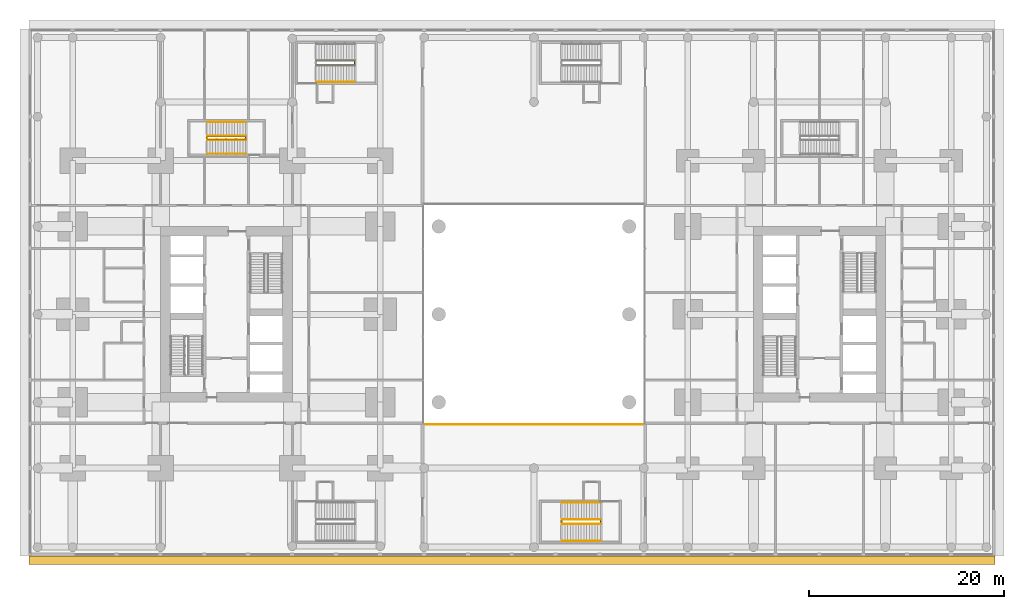
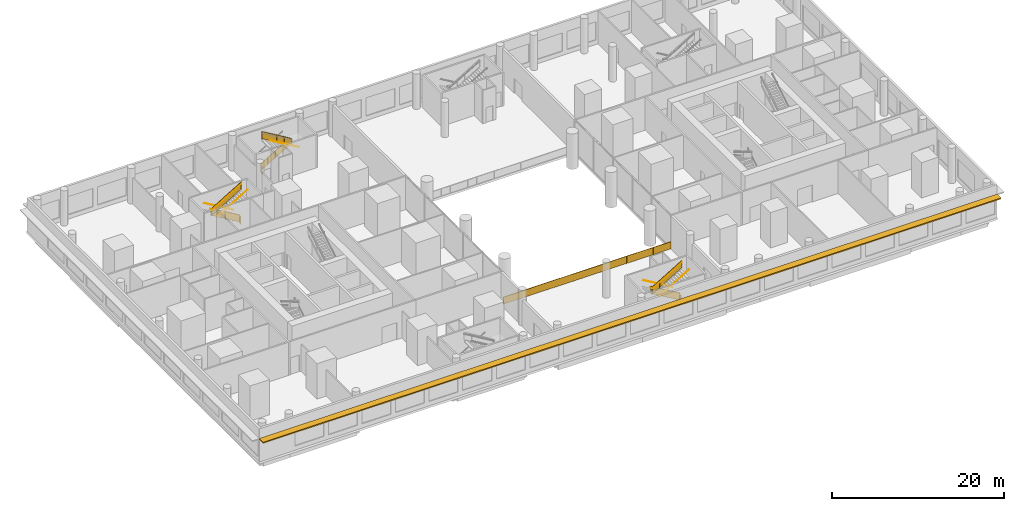
# One storey, part 19 of 21: 13 railings, 1 shading device.
"""IFC4 building model written with IfcOpenShell, lengths in metres."""

from ifc_helpers import new_model, si_unit, direction, frame, origin, origin_2d, place, context, subcontext, project, spatial, polyline, rectangle, circle, outline, extrude, material, layer, layer_set, type_object, element, save


model = new_model("IFC4")

# Units and contexts
model_context = context("Model", 3, precision=1e-05, world=origin(), true_north=direction((0.0, 1.0)))
body_context = subcontext(model_context, "Body", "Model", "MODEL_VIEW")
ifc_project = project(units=[si_unit("LENGTHUNIT", "METRE"), si_unit("AREAUNIT", "SQUARE_METRE"), si_unit("VOLUMEUNIT", "CUBIC_METRE"), si_unit("PLANEANGLEUNIT", "RADIAN"), si_unit("MASSUNIT", "GRAM", prefix="KILO")], contexts=[model_context])

# Site, building, storey
site_placement = place(None, origin())
site = spatial("IfcSite", under=ifc_project, at=site_placement, CompositionType="ELEMENT")
building_placement = place(site_placement, origin())
building = spatial("IfcBuilding", under=site, at=building_placement, Name="Namib Vertical Campus", CompositionType="ELEMENT")
storey_placement = place(building_placement, frame((0.0, 0.0, 6.0)))
storey = spatial("IfcBuildingStorey", under=building, at=storey_placement, Name="L01", CompositionType="ELEMENT", Elevation=6.0)

# Railings
ifc_material_1 = material(Name="Toughened glass balustrade", Category="glass")
railing_type_1 = type_object("IfcRailingType", Name="Edge guard 1100", PredefinedType="GUARDRAIL", material=ifc_material_1)
railing_1_placement = place(storey_placement, frame((40.5, 8.949951171875, 0.0)))
element("IfcRailing", 1, at=railing_1_placement, inside=storey, type_object=railing_type_1, Name="Atrium edge guard GR2 L01 S", PredefinedType="GUARDRAIL", context=body_context, shape_type="SweptSolid", body=[
    extrude(circle(Radius=0.02392578125, at=origin_2d()), frame((0.0, 0.0, 1.076171875), z_axis=(1.0, 0.0, 0.0), x_axis=(0.0, 1.0, 0.0)), (0.0, 0.0, 1.0), 22.5),
    extrude(outline(polyline([(0.02099609375, 0.050048828125), (22.47900390625, 0.050048828125), (22.47900390625, 1.052001953125), (0.02099609375, 1.052001953125), (0.02099609375, 0.050048828125)])), frame((0.0, 0.0107421875, 0.0), z_axis=(0.0, -1.0, 0.0), x_axis=(1.0, 0.0, 0.0)), (0.0, 0.0, 1.0), 0.021484375),
    extrude(circle(Radius=0.02099609375, at=origin_2d()), origin(), (0.0, 0.0, 1.0), 1.052001953125),
    extrude(circle(Radius=0.02099609375, at=origin_2d()), frame((1.184326171875, 0.0, 0.0)), (0.0, 0.0, 1.0), 1.052001953125),
    extrude(circle(Radius=0.02099609375, at=origin_2d()), frame((2.368408203125, 0.0, 0.0)), (0.0, 0.0, 1.0), 1.052001953125),
    extrude(circle(Radius=0.02099609375, at=origin_2d()), frame((3.552734375, 0.0, 0.0)), (0.0, 0.0, 1.0), 1.052001953125),
    extrude(circle(Radius=0.02099609375, at=origin_2d()), frame((4.73681640625, 0.0, 0.0)), (0.0, 0.0, 1.0), 1.052001953125),
    extrude(circle(Radius=0.02099609375, at=origin_2d()), frame((5.921142578125, 0.0, 0.0)), (0.0, 0.0, 1.0), 1.052001953125),
    extrude(circle(Radius=0.02099609375, at=origin_2d()), frame((7.105224609375, 0.0, 0.0)), (0.0, 0.0, 1.0), 1.052001953125),
    extrude(circle(Radius=0.02099609375, at=origin_2d()), frame((8.28955078125, 0.0, 0.0)), (0.0, 0.0, 1.0), 1.052001953125),
    extrude(circle(Radius=0.02099609375, at=origin_2d()), frame((9.4736328125, 0.0, 0.0)), (0.0, 0.0, 1.0), 1.052001953125),
    extrude(circle(Radius=0.02099609375, at=origin_2d()), frame((10.657958984375, 0.0, 0.0)), (0.0, 0.0, 1.0), 1.052001953125),
    extrude(circle(Radius=0.02099609375, at=origin_2d()), frame((11.842041015625, 0.0, 0.0)), (0.0, 0.0, 1.0), 1.052001953125),
    extrude(circle(Radius=0.02099609375, at=origin_2d()), frame((13.0263671875, 0.0, 0.0)), (0.0, 0.0, 1.0), 1.052001953125),
    extrude(circle(Radius=0.02099609375, at=origin_2d()), frame((14.21044921875, 0.0, 0.0)), (0.0, 0.0, 1.0), 1.052001953125),
    extrude(circle(Radius=0.02099609375, at=origin_2d()), frame((15.394775390625, 0.0, 0.0)), (0.0, 0.0, 1.0), 1.052001953125),
    extrude(circle(Radius=0.02099609375, at=origin_2d()), frame((16.578857421875, 0.0, 0.0)), (0.0, 0.0, 1.0), 1.052001953125),
    extrude(circle(Radius=0.02099609375, at=origin_2d()), frame((17.76318359375, 0.0, 0.0)), (0.0, 0.0, 1.0), 1.052001953125),
    extrude(circle(Radius=0.02099609375, at=origin_2d()), frame((18.947265625, 0.0, 0.0)), (0.0, 0.0, 1.0), 1.052001953125),
    extrude(circle(Radius=0.02099609375, at=origin_2d()), frame((20.131591796875, 0.0, 0.0)), (0.0, 0.0, 1.0), 1.052001953125),
    extrude(circle(Radius=0.02099609375, at=origin_2d()), frame((21.315673828125, 0.0, 0.0)), (0.0, 0.0, 1.0), 1.052001953125),
    extrude(circle(Radius=0.02099609375, at=origin_2d()), frame((22.5, 0.0, 0.0)), (0.0, 0.0, 1.0), 1.052001953125),
])
ifc_material_2 = material(Name="Steel handrail", Category="steel")
railing_type_2 = type_object("IfcRailingType", Name="Handrail 900", PredefinedType="HANDRAIL", material=ifc_material_2)
railing_2_placement = place(storey_placement, frame((33.3662109375, 44.050048828125, 2.666748046875)))
element("IfcRailing", 2, at=railing_2_placement, inside=storey, type_object=railing_type_2, Name="Handrail HR1 P-S1 L01 2", PredefinedType="HANDRAIL", context=body_context, shape_type="SweptSolid", body=[
    extrude(circle(Radius=0.02392578125, at=origin_2d()), frame((0.0, 0.0, 0.8759765625), z_axis=(-0.859310244771, 0.0, 0.511454693235), x_axis=(0.0, -1.0, 0.0)), (0.0, 0.0, 1.0), 4.56201171875),
    extrude(circle(Radius=0.008056640625, at=origin_2d()), frame((0.0, 0.0, 0.8759765625), z_axis=(0.0, -1.0, 0.0), x_axis=(0.0, 0.0, 1.0)), (0.0, 0.0, 1.0), 0.050048828125),
    extrude(circle(Radius=0.008056640625, at=origin_2d()), frame((-0.97998046875, 0.0, 1.459228515625), z_axis=(0.0, -1.0, 0.0), x_axis=(0.0, 0.0, 1.0)), (0.0, 0.0, 1.0), 0.050048828125),
    extrude(circle(Radius=0.008056640625, at=origin_2d()), frame((-1.9599609375, 0.0, 2.04248046875), z_axis=(0.0, -1.0, 0.0), x_axis=(0.0, 0.0, 1.0)), (0.0, 0.0, 1.0), 0.050048828125),
    extrude(circle(Radius=0.008056640625, at=origin_2d()), frame((-2.940185546875, 0.0, 2.625732421875), z_axis=(0.0, -1.0, 0.0), x_axis=(0.0, 0.0, 1.0)), (0.0, 0.0, 1.0), 0.050048828125),
    extrude(circle(Radius=0.008056640625, at=origin_2d()), frame((-3.920166015625, 0.0, 3.208984375), z_axis=(0.0, -1.0, 0.0), x_axis=(0.0, 0.0, 1.0)), (0.0, 0.0, 1.0), 0.050048828125),
])
railing_3_placement = place(storey_placement, frame((58.553955078125, 0.949951171875, 0.166748046875)))
element("IfcRailing", 3, at=railing_3_placement, inside=storey, type_object=railing_type_2, Name="Handrail HR1 P-S4 L01 1", PredefinedType="HANDRAIL", context=body_context, shape_type="SweptSolid", body=[
    extrude(circle(Radius=0.02392578125, at=origin_2d()), frame((0.0, 0.0, 0.8759765625), z_axis=(-0.859310244771, 0.0, 0.511454693235), x_axis=(0.0, -1.0, 0.0)), (0.0, 0.0, 1.0), 4.56201171875),
    extrude(circle(Radius=0.008056640625, at=origin_2d()), frame((0.0, 0.0, 0.8759765625), z_axis=(0.0, 1.0, 0.0), x_axis=(0.0, 0.0, 1.0)), (0.0, 0.0, 1.0), 0.050048828125),
    extrude(circle(Radius=0.008056640625, at=origin_2d()), frame((-0.97998046875, 0.0, 1.459228515625), z_axis=(0.0, 1.0, 0.0), x_axis=(0.0, 0.0, 1.0)), (0.0, 0.0, 1.0), 0.050048828125),
    extrude(circle(Radius=0.008056640625, at=origin_2d()), frame((-1.9599609375, 0.0, 2.04248046875), z_axis=(0.0, 1.0, 0.0), x_axis=(0.0, 0.0, 1.0)), (0.0, 0.0, 1.0), 0.050048828125),
    extrude(circle(Radius=0.008056640625, at=origin_2d()), frame((-2.940185546875, 0.0, 2.625732421875), z_axis=(0.0, 1.0, 0.0), x_axis=(0.0, 0.0, 1.0)), (0.0, 0.0, 1.0), 0.050048828125),
    extrude(circle(Radius=0.008056640625, at=origin_2d()), frame((-3.920166015625, 0.0, 3.208984375), z_axis=(0.0, 1.0, 0.0), x_axis=(0.0, 0.0, 1.0)), (0.0, 0.0, 1.0), 0.050048828125),
])
railing_4_placement = place(storey_placement, frame((54.6337890625, -2.949951171875, 2.666748046875)))
element("IfcRailing", 4, at=railing_4_placement, inside=storey, type_object=railing_type_2, Name="Handrail HR1 P-S4 L01 2", PredefinedType="HANDRAIL", context=body_context, shape_type="SweptSolid", body=[
    extrude(circle(Radius=0.02392578125, at=origin_2d()), frame((0.0, 0.0, 0.8759765625), z_axis=(0.859310244771, 0.0, 0.511454693235), x_axis=(0.0, 1.0, 0.0)), (0.0, 0.0, 1.0), 4.56201171875),
    extrude(circle(Radius=0.008056640625, at=origin_2d()), frame((0.0, 0.0, 0.8759765625), z_axis=(0.0, -1.0, 0.0), x_axis=(0.0, 0.0, 1.0)), (0.0, 0.0, 1.0), 0.050048828125),
    extrude(circle(Radius=0.008056640625, at=origin_2d()), frame((0.97998046875, 0.0, 1.459228515625), z_axis=(0.0, -1.0, 0.0), x_axis=(0.0, 0.0, 1.0)), (0.0, 0.0, 1.0), 0.050048828125),
    extrude(circle(Radius=0.008056640625, at=origin_2d()), frame((1.9599609375, 0.0, 2.04248046875), z_axis=(0.0, -1.0, 0.0), x_axis=(0.0, 0.0, 1.0)), (0.0, 0.0, 1.0), 0.050048828125),
    extrude(circle(Radius=0.008056640625, at=origin_2d()), frame((2.940185546875, 0.0, 2.625732421875), z_axis=(0.0, -1.0, 0.0), x_axis=(0.0, 0.0, 1.0)), (0.0, 0.0, 1.0), 0.050048828125),
    extrude(circle(Radius=0.008056640625, at=origin_2d()), frame((3.920166015625, 0.0, 3.208984375), z_axis=(0.0, -1.0, 0.0), x_axis=(0.0, 0.0, 1.0)), (0.0, 0.0, 1.0), 0.050048828125),
])
railing_5_placement = place(storey_placement, frame((58.553955078125, -0.75, 0.166748046875)))
element("IfcRailing", 5, at=railing_5_placement, inside=storey, type_object=railing_type_2, Name="Handrail HR1 P-S4 L01 1 at the well", PredefinedType="HANDRAIL", context=body_context, shape_type="SweptSolid", body=[
    extrude(circle(Radius=0.02392578125, at=origin_2d()), frame((0.0, 0.0, 0.8759765625), z_axis=(-0.859310244771, 0.0, 0.511454693235), x_axis=(0.0, -1.0, 0.0)), (0.0, 0.0, 1.0), 4.56201171875),
    extrude(circle(Radius=0.008056640625, at=origin_2d()), frame((0.0, 0.0, 0.8759765625), z_axis=(0.0, -1.0, 0.0), x_axis=(0.0, 0.0, 1.0)), (0.0, 0.0, 1.0), 0.0400390625),
    extrude(circle(Radius=0.008056640625, at=origin_2d()), frame((-0.97998046875, 0.0, 1.459228515625), z_axis=(0.0, -1.0, 0.0), x_axis=(0.0, 0.0, 1.0)), (0.0, 0.0, 1.0), 0.0400390625),
    extrude(circle(Radius=0.008056640625, at=origin_2d()), frame((-1.9599609375, 0.0, 2.04248046875), z_axis=(0.0, -1.0, 0.0), x_axis=(0.0, 0.0, 1.0)), (0.0, 0.0, 1.0), 0.0400390625),
    extrude(circle(Radius=0.008056640625, at=origin_2d()), frame((-2.940185546875, 0.0, 2.625732421875), z_axis=(0.0, -1.0, 0.0), x_axis=(0.0, 0.0, 1.0)), (0.0, 0.0, 1.0), 0.0400390625),
    extrude(circle(Radius=0.008056640625, at=origin_2d()), frame((-3.920166015625, 0.0, 3.208984375), z_axis=(0.0, -1.0, 0.0), x_axis=(0.0, 0.0, 1.0)), (0.0, 0.0, 1.0), 0.0400390625),
])
railing_6_placement = place(storey_placement, frame((54.6337890625, -1.25, 2.666748046875)))
element("IfcRailing", 6, at=railing_6_placement, inside=storey, type_object=railing_type_2, Name="Handrail HR1 P-S4 L01 2 at the well", PredefinedType="HANDRAIL", context=body_context, shape_type="SweptSolid", body=[
    extrude(circle(Radius=0.02392578125, at=origin_2d()), frame((0.0, 0.0, 0.8759765625), z_axis=(0.859310244771, 0.0, 0.511454693235), x_axis=(0.0, 1.0, 0.0)), (0.0, 0.0, 1.0), 4.56201171875),
    extrude(circle(Radius=0.008056640625, at=origin_2d()), frame((0.0, 0.0, 0.8759765625), z_axis=(0.0, 1.0, 0.0), x_axis=(0.0, 0.0, 1.0)), (0.0, 0.0, 1.0), 0.0400390625),
    extrude(circle(Radius=0.008056640625, at=origin_2d()), frame((0.97998046875, 0.0, 1.459228515625), z_axis=(0.0, 1.0, 0.0), x_axis=(0.0, 0.0, 1.0)), (0.0, 0.0, 1.0), 0.0400390625),
    extrude(circle(Radius=0.008056640625, at=origin_2d()), frame((1.9599609375, 0.0, 2.04248046875), z_axis=(0.0, 1.0, 0.0), x_axis=(0.0, 0.0, 1.0)), (0.0, 0.0, 1.0), 0.0400390625),
    extrude(circle(Radius=0.008056640625, at=origin_2d()), frame((2.940185546875, 0.0, 2.625732421875), z_axis=(0.0, 1.0, 0.0), x_axis=(0.0, 0.0, 1.0)), (0.0, 0.0, 1.0), 0.0400390625),
    extrude(circle(Radius=0.008056640625, at=origin_2d()), frame((3.920166015625, 0.0, 3.208984375), z_axis=(0.0, 1.0, 0.0), x_axis=(0.0, 0.0, 1.0)), (0.0, 0.0, 1.0), 0.0400390625),
])
railing_7_placement = place(storey_placement, frame((22.199951171875, 39.949951171875, 0.166748046875)))
element("IfcRailing", 7, at=railing_7_placement, inside=storey, type_object=railing_type_2, Name="Handrail HR1 A-S3 L01 1", PredefinedType="HANDRAIL", context=body_context, shape_type="SweptSolid", body=[
    extrude(circle(Radius=0.02392578125, at=origin_2d()), frame((0.0, 0.0, 0.8759765625), z_axis=(-0.859296244711, 0.0, 0.511478214419), x_axis=(0.0, -1.0, 0.0)), (0.0, 0.0, 1.0), 4.561767578125),
    extrude(circle(Radius=0.008056640625, at=origin_2d()), frame((0.0, 0.0, 0.8759765625), z_axis=(0.0, 1.0, 0.0), x_axis=(0.0, 0.0, 1.0)), (0.0, 0.0, 1.0), 0.050048828125),
    extrude(circle(Radius=0.008056640625, at=origin_2d()), frame((-0.97998046875, 0.0, 1.459228515625), z_axis=(0.0, 1.0, 0.0), x_axis=(0.0, 0.0, 1.0)), (0.0, 0.0, 1.0), 0.050048828125),
    extrude(circle(Radius=0.008056640625, at=origin_2d()), frame((-1.9599609375, 0.0, 2.04248046875), z_axis=(0.0, 1.0, 0.0), x_axis=(0.0, 0.0, 1.0)), (0.0, 0.0, 1.0), 0.050048828125),
    extrude(circle(Radius=0.008056640625, at=origin_2d()), frame((-2.93994140625, 0.0, 2.625732421875), z_axis=(0.0, 1.0, 0.0), x_axis=(0.0, 0.0, 1.0)), (0.0, 0.0, 1.0), 0.050048828125),
    extrude(circle(Radius=0.008056640625, at=origin_2d()), frame((-3.919921875, 0.0, 3.208984375), z_axis=(0.0, 1.0, 0.0), x_axis=(0.0, 0.0, 1.0)), (0.0, 0.0, 1.0), 0.050048828125),
])
railing_8_placement = place(storey_placement, frame((18.280029296875, 36.699951171875, 2.666748046875)))
element("IfcRailing", 8, at=railing_8_placement, inside=storey, type_object=railing_type_2, Name="Handrail HR1 A-S3 L01 2", PredefinedType="HANDRAIL", context=body_context, shape_type="SweptSolid", body=[
    extrude(circle(Radius=0.02392578125, at=origin_2d()), frame((0.0, 0.0, 0.8759765625), z_axis=(0.859296244711, 0.0, 0.511478214419), x_axis=(0.0, 1.0, 0.0)), (0.0, 0.0, 1.0), 4.561767578125),
    extrude(circle(Radius=0.008056640625, at=origin_2d()), frame((0.0, 0.0, 0.8759765625), z_axis=(0.0, -1.0, 0.0), x_axis=(0.0, 0.0, 1.0)), (0.0, 0.0, 1.0), 0.050048828125),
    extrude(circle(Radius=0.008056640625, at=origin_2d()), frame((0.97998046875, 0.0, 1.459228515625), z_axis=(0.0, -1.0, 0.0), x_axis=(0.0, 0.0, 1.0)), (0.0, 0.0, 1.0), 0.050048828125),
    extrude(circle(Radius=0.008056640625, at=origin_2d()), frame((1.9599609375, 0.0, 2.04248046875), z_axis=(0.0, -1.0, 0.0), x_axis=(0.0, 0.0, 1.0)), (0.0, 0.0, 1.0), 0.050048828125),
    extrude(circle(Radius=0.008056640625, at=origin_2d()), frame((2.93994140625, 0.0, 2.625732421875), z_axis=(0.0, -1.0, 0.0), x_axis=(0.0, 0.0, 1.0)), (0.0, 0.0, 1.0), 0.050048828125),
    extrude(circle(Radius=0.008056640625, at=origin_2d()), frame((3.919921875, 0.0, 3.208984375), z_axis=(0.0, -1.0, 0.0), x_axis=(0.0, 0.0, 1.0)), (0.0, 0.0, 1.0), 0.050048828125),
])
railing_9_placement = place(storey_placement, frame((22.199951171875, 38.52490234375, 0.166748046875)))
element("IfcRailing", 9, at=railing_9_placement, inside=storey, type_object=railing_type_2, Name="Handrail HR1 A-S3 L01 1 at the well", PredefinedType="HANDRAIL", context=body_context, shape_type="SweptSolid", body=[
    extrude(circle(Radius=0.02392578125, at=origin_2d()), frame((0.0, 0.0, 0.8759765625), z_axis=(-0.859296244711, 0.0, 0.511478214419), x_axis=(0.0, -1.0, 0.0)), (0.0, 0.0, 1.0), 4.561767578125),
    extrude(circle(Radius=0.008056640625, at=origin_2d()), frame((0.0, 0.0, 0.8759765625), z_axis=(0.0, -1.0, 0.0), x_axis=(0.0, 0.0, 1.0)), (0.0, 0.0, 1.0), 0.0400390625),
    extrude(circle(Radius=0.008056640625, at=origin_2d()), frame((-0.97998046875, 0.0, 1.459228515625), z_axis=(0.0, -1.0, 0.0), x_axis=(0.0, 0.0, 1.0)), (0.0, 0.0, 1.0), 0.0400390625),
    extrude(circle(Radius=0.008056640625, at=origin_2d()), frame((-1.9599609375, 0.0, 2.04248046875), z_axis=(0.0, -1.0, 0.0), x_axis=(0.0, 0.0, 1.0)), (0.0, 0.0, 1.0), 0.0400390625),
    extrude(circle(Radius=0.008056640625, at=origin_2d()), frame((-2.93994140625, 0.0, 2.625732421875), z_axis=(0.0, -1.0, 0.0), x_axis=(0.0, 0.0, 1.0)), (0.0, 0.0, 1.0), 0.0400390625),
    extrude(circle(Radius=0.008056640625, at=origin_2d()), frame((-3.919921875, 0.0, 3.208984375), z_axis=(0.0, -1.0, 0.0), x_axis=(0.0, 0.0, 1.0)), (0.0, 0.0, 1.0), 0.0400390625),
])
railing_10_placement = place(storey_placement, frame((18.280029296875, 38.125, 2.666748046875)))
element("IfcRailing", 10, at=railing_10_placement, inside=storey, type_object=railing_type_2, Name="Handrail HR1 A-S3 L01 2 at the well", PredefinedType="HANDRAIL", context=body_context, shape_type="SweptSolid", body=[
    extrude(circle(Radius=0.02392578125, at=origin_2d()), frame((0.0, 0.0, 0.8759765625), z_axis=(0.859296244711, 0.0, 0.511478214419), x_axis=(0.0, 1.0, 0.0)), (0.0, 0.0, 1.0), 4.561767578125),
    extrude(circle(Radius=0.008056640625, at=origin_2d()), frame((0.0, 0.0, 0.8759765625), z_axis=(0.0, 1.0, 0.0), x_axis=(0.0, 0.0, 1.0)), (0.0, 0.0, 1.0), 0.0400390625),
    extrude(circle(Radius=0.008056640625, at=origin_2d()), frame((0.97998046875, 0.0, 1.459228515625), z_axis=(0.0, 1.0, 0.0), x_axis=(0.0, 0.0, 1.0)), (0.0, 0.0, 1.0), 0.0400390625),
    extrude(circle(Radius=0.008056640625, at=origin_2d()), frame((1.9599609375, 0.0, 2.04248046875), z_axis=(0.0, 1.0, 0.0), x_axis=(0.0, 0.0, 1.0)), (0.0, 0.0, 1.0), 0.0400390625),
    extrude(circle(Radius=0.008056640625, at=origin_2d()), frame((2.93994140625, 0.0, 2.625732421875), z_axis=(0.0, 1.0, 0.0), x_axis=(0.0, 0.0, 1.0)), (0.0, 0.0, 1.0), 0.0400390625),
    extrude(circle(Radius=0.008056640625, at=origin_2d()), frame((3.919921875, 0.0, 3.208984375), z_axis=(0.0, 1.0, 0.0), x_axis=(0.0, 0.0, 1.0)), (0.0, 0.0, 1.0), 0.0400390625),
])
ifc_material_3 = material(Name="Steel balustrade", Category="steel")
railing_type_3 = type_object("IfcRailingType", Name="Stair guard 1100", PredefinedType="GUARDRAIL", material=ifc_material_3)
railing_11_placement = place(storey_placement, frame((29.446044921875, 45.800048828125, 0.0)))
element("IfcRailing", 11, at=railing_11_placement, inside=storey, type_object=railing_type_3, Name="Stair guard GR1 P-S1 L01", PredefinedType="GUARDRAIL", context=body_context, shape_type="SweptSolid", body=[
    extrude(circle(Radius=0.02392578125, at=origin_2d()), frame((0.0, 0.0, 1.076171875), z_axis=(0.0, 1.0, 0.0), x_axis=(-1.0, 0.0, 0.0)), (0.0, 0.0, 1.0), 0.39990234375),
    extrude(outline(polyline([(0.02099609375, 0.050048828125), (0.37890625, 0.050048828125), (0.37890625, 1.052001953125), (0.02099609375, 1.052001953125), (0.02099609375, 0.050048828125)])), frame((-0.010009765625, 0.0, 0.0), z_axis=(1.0, 0.0, 0.0), x_axis=(0.0, 1.0, 0.0)), (0.0, 0.0, 1.0), 0.02001953125),
    extrude(circle(Radius=0.02392578125, at=origin_2d()), frame((0.0, 0.39990234375, 1.076171875), z_axis=(0.0, 0.0, 1.0), x_axis=(1.0, 0.0, 0.0)), (0.0, 0.0, 1.0), 0.166748046875),
    extrude(circle(Radius=0.02392578125, at=origin_2d()), frame((0.0, 0.39990234375, 1.24267578125), z_axis=(0.859310244771, 0.0, 0.511454693235), x_axis=(0.0, 1.0, 0.0)), (0.0, 0.0, 1.0), 4.56201171875),
    extrude(outline(polyline([(0.02099609375, 0.0625), (3.899169921875, 2.370849609375), (3.899169921875, 3.372802734375), (0.02099609375, 1.064453125), (0.02099609375, 0.0625)])), frame((0.0, 0.409912109375, 0.166748046875), z_axis=(0.0, -1.0, 0.0), x_axis=(1.0, 0.0, 0.0)), (0.0, 0.0, 1.0), 0.02001953125),
    extrude(circle(Radius=0.02392578125, at=origin_2d()), frame((3.920166015625, 0.39990234375, 3.576171875), z_axis=(0.0, -1.0, 0.0), x_axis=(1.0, 0.0, 0.0)), (0.0, 0.0, 1.0), 0.39990234375),
    extrude(outline(polyline([(0.02099609375, 0.050048828125), (0.37890625, 0.050048828125), (0.37890625, 1.052001953125), (0.02099609375, 1.052001953125), (0.02099609375, 0.050048828125)])), frame((3.93017578125, 0.39990234375, 2.5), z_axis=(-1.0, 0.0, 0.0), x_axis=(0.0, -1.0, 0.0)), (0.0, 0.0, 1.0), 0.02001953125),
    extrude(circle(Radius=0.02392578125, at=origin_2d()), frame((3.920166015625, 0.0, 3.576171875), z_axis=(0.0, 0.0, 1.0), x_axis=(1.0, 0.0, 0.0)), (0.0, 0.0, 1.0), 0.166748046875),
    extrude(circle(Radius=0.02392578125, at=origin_2d()), frame((3.920166015625, 0.0, 3.74267578125), z_axis=(-0.859310244771, 0.0, 0.511454693235), x_axis=(0.0, -1.0, 0.0)), (0.0, 0.0, 1.0), 4.56201171875),
    extrude(outline(polyline([(0.02099609375, 0.0625), (3.899169921875, 2.370849609375), (3.899169921875, 3.372802734375), (0.02099609375, 1.064453125), (0.02099609375, 0.0625)])), frame((3.920166015625, -0.010009765625, 2.666748046875), z_axis=(0.0, 1.0, 0.0), x_axis=(-1.0, 0.0, 0.0)), (0.0, 0.0, 1.0), 0.02001953125),
    extrude(circle(Radius=0.02392578125, at=origin_2d()), frame((0.0, 0.0, 6.076171875), z_axis=(-1.0, 0.0, 0.0), x_axis=(0.0, -1.0, 0.0)), (0.0, 0.0, 1.0), 0.050048828125),
    extrude(outline(polyline([(0.02099609375, 0.050048828125), (0.029052734375, 0.050048828125), (0.029052734375, 1.052001953125), (0.02099609375, 1.052001953125), (0.02099609375, 0.050048828125)])), frame((0.0, -0.010009765625, 5.0), z_axis=(0.0, 1.0, 0.0), x_axis=(-1.0, 0.0, 0.0)), (0.0, 0.0, 1.0), 0.02001953125),
    extrude(circle(Radius=0.02099609375, at=origin_2d()), origin(), (0.0, 0.0, 1.0), 1.052001953125),
    extrude(circle(Radius=0.02099609375, at=origin_2d()), frame((0.0, 0.39990234375, 0.166748046875)), (0.0, 0.0, 1.0), 1.052001953125),
    extrude(circle(Radius=0.02099609375, at=origin_2d()), frame((0.97998046875, 0.39990234375, 0.666748046875)), (0.0, 0.0, 1.0), 1.13525390625),
    extrude(circle(Radius=0.02099609375, at=origin_2d()), frame((1.9599609375, 0.39990234375, 1.33349609375)), (0.0, 0.0, 1.0), 1.052001953125),
    extrude(circle(Radius=0.02099609375, at=origin_2d()), frame((2.940185546875, 0.39990234375, 1.83349609375)), (0.0, 0.0, 1.0), 1.13525390625),
    extrude(circle(Radius=0.02099609375, at=origin_2d()), frame((3.920166015625, 0.39990234375, 2.5)), (0.0, 0.0, 1.0), 1.052001953125),
    extrude(circle(Radius=0.02099609375, at=origin_2d()), frame((3.920166015625, 0.0, 2.666748046875)), (0.0, 0.0, 1.0), 1.052001953125),
    extrude(circle(Radius=0.02099609375, at=origin_2d()), frame((2.940185546875, 0.0, 3.166748046875)), (0.0, 0.0, 1.0), 1.13525390625),
    extrude(circle(Radius=0.02099609375, at=origin_2d()), frame((1.9599609375, 0.0, 3.83349609375)), (0.0, 0.0, 1.0), 1.052001953125),
    extrude(circle(Radius=0.02099609375, at=origin_2d()), frame((0.97998046875, 0.0, 4.33349609375)), (0.0, 0.0, 1.0), 1.13525390625),
    extrude(circle(Radius=0.02099609375, at=origin_2d()), frame((0.0, 0.0, 5.0)), (0.0, 0.0, 1.0), 1.052001953125),
    extrude(circle(Radius=0.02099609375, at=origin_2d()), frame((-0.050048828125, 0.0, 5.0)), (0.0, 0.0, 1.0), 1.052001953125),
])
railing_12_placement = place(storey_placement, frame((58.553955078125, -1.199951171875, 0.0)))
element("IfcRailing", 12, at=railing_12_placement, inside=storey, type_object=railing_type_3, Name="Stair guard GR1 P-S4 L01", PredefinedType="GUARDRAIL", context=body_context, shape_type="SweptSolid", body=[
    extrude(circle(Radius=0.02392578125, at=origin_2d()), frame((0.0, 0.0, 1.076171875), z_axis=(0.0, 1.0, 0.0), x_axis=(-1.0, 0.0, 0.0)), (0.0, 0.0, 1.0), 0.39990234375),
    extrude(outline(polyline([(0.02099609375, 0.050048828125), (0.37890625, 0.050048828125), (0.37890625, 1.052001953125), (0.02099609375, 1.052001953125), (0.02099609375, 0.050048828125)])), frame((-0.010009765625, 0.0, 0.0), z_axis=(1.0, 0.0, 0.0), x_axis=(0.0, 1.0, 0.0)), (0.0, 0.0, 1.0), 0.02001953125),
    extrude(circle(Radius=0.02392578125, at=origin_2d()), frame((0.0, 0.39990234375, 1.076171875), z_axis=(0.0, 0.0, 1.0), x_axis=(1.0, 0.0, 0.0)), (0.0, 0.0, 1.0), 0.166748046875),
    extrude(circle(Radius=0.02392578125, at=origin_2d()), frame((0.0, 0.39990234375, 1.24267578125), z_axis=(-0.859310244771, 0.0, 0.511454693235), x_axis=(0.0, -1.0, 0.0)), (0.0, 0.0, 1.0), 4.56201171875),
    extrude(outline(polyline([(0.02099609375, 0.0625), (3.899169921875, 2.370849609375), (3.899169921875, 3.372802734375), (0.02099609375, 1.064453125), (0.02099609375, 0.0625)])), frame((0.0, 0.389892578125, 0.166748046875), z_axis=(0.0, 1.0, 0.0), x_axis=(-1.0, 0.0, 0.0)), (0.0, 0.0, 1.0), 0.02001953125),
    extrude(circle(Radius=0.02392578125, at=origin_2d()), frame((-3.920166015625, 0.39990234375, 3.576171875), z_axis=(0.0, -1.0, 0.0), x_axis=(1.0, 0.0, 0.0)), (0.0, 0.0, 1.0), 0.39990234375),
    extrude(outline(polyline([(0.02099609375, 0.050048828125), (0.37890625, 0.050048828125), (0.37890625, 1.052001953125), (0.02099609375, 1.052001953125), (0.02099609375, 0.050048828125)])), frame((-3.91015625, 0.39990234375, 2.5), z_axis=(-1.0, 0.0, 0.0), x_axis=(0.0, -1.0, 0.0)), (0.0, 0.0, 1.0), 0.02001953125),
    extrude(circle(Radius=0.02392578125, at=origin_2d()), frame((-3.920166015625, 0.0, 3.576171875), z_axis=(0.0, 0.0, 1.0), x_axis=(1.0, 0.0, 0.0)), (0.0, 0.0, 1.0), 0.166748046875),
    extrude(circle(Radius=0.02392578125, at=origin_2d()), frame((-3.920166015625, 0.0, 3.74267578125), z_axis=(0.859310244771, 0.0, 0.511454693235), x_axis=(0.0, 1.0, 0.0)), (0.0, 0.0, 1.0), 4.56201171875),
    extrude(outline(polyline([(0.02099609375, 0.0625), (3.899169921875, 2.370849609375), (3.899169921875, 3.372802734375), (0.02099609375, 1.064453125), (0.02099609375, 0.0625)])), frame((-3.920166015625, 0.010009765625, 2.666748046875), z_axis=(0.0, -1.0, 0.0), x_axis=(1.0, 0.0, 0.0)), (0.0, 0.0, 1.0), 0.02001953125),
    extrude(circle(Radius=0.02392578125, at=origin_2d()), frame((0.0, 0.0, 6.076171875), z_axis=(1.0, 0.0, 0.0), x_axis=(0.0, 1.0, 0.0)), (0.0, 0.0, 1.0), 0.050048828125),
    extrude(outline(polyline([(0.02099609375, 0.050048828125), (0.029052734375, 0.050048828125), (0.029052734375, 1.052001953125), (0.02099609375, 1.052001953125), (0.02099609375, 0.050048828125)])), frame((0.0, 0.010009765625, 5.0), z_axis=(0.0, -1.0, 0.0), x_axis=(1.0, 0.0, 0.0)), (0.0, 0.0, 1.0), 0.02001953125),
    extrude(circle(Radius=0.02099609375, at=origin_2d()), origin(), (0.0, 0.0, 1.0), 1.052001953125),
    extrude(circle(Radius=0.02099609375, at=origin_2d()), frame((0.0, 0.39990234375, 0.166748046875)), (0.0, 0.0, 1.0), 1.052001953125),
    extrude(circle(Radius=0.02099609375, at=origin_2d()), frame((-0.97998046875, 0.39990234375, 0.666748046875)), (0.0, 0.0, 1.0), 1.13525390625),
    extrude(circle(Radius=0.02099609375, at=origin_2d()), frame((-1.9599609375, 0.39990234375, 1.33349609375)), (0.0, 0.0, 1.0), 1.052001953125),
    extrude(circle(Radius=0.02099609375, at=origin_2d()), frame((-2.940185546875, 0.39990234375, 1.83349609375)), (0.0, 0.0, 1.0), 1.13525390625),
    extrude(circle(Radius=0.02099609375, at=origin_2d()), frame((-3.920166015625, 0.39990234375, 2.5)), (0.0, 0.0, 1.0), 1.052001953125),
    extrude(circle(Radius=0.02099609375, at=origin_2d()), frame((-3.920166015625, 0.0, 2.666748046875)), (0.0, 0.0, 1.0), 1.052001953125),
    extrude(circle(Radius=0.02099609375, at=origin_2d()), frame((-2.940185546875, 0.0, 3.166748046875)), (0.0, 0.0, 1.0), 1.13525390625),
    extrude(circle(Radius=0.02099609375, at=origin_2d()), frame((-1.9599609375, 0.0, 3.83349609375)), (0.0, 0.0, 1.0), 1.052001953125),
    extrude(circle(Radius=0.02099609375, at=origin_2d()), frame((-0.97998046875, 0.0, 4.33349609375)), (0.0, 0.0, 1.0), 1.13525390625),
    extrude(circle(Radius=0.02099609375, at=origin_2d()), frame((0.0, 0.0, 5.0)), (0.0, 0.0, 1.0), 1.052001953125),
    extrude(circle(Radius=0.02099609375, at=origin_2d()), frame((0.050048828125, 0.0, 5.0)), (0.0, 0.0, 1.0), 1.052001953125),
])
railing_13_placement = place(storey_placement, frame((22.199951171875, 38.175048828125, 0.0)))
element("IfcRailing", 13, at=railing_13_placement, inside=storey, type_object=railing_type_3, Name="Stair guard GR1 A-S3 L01", PredefinedType="GUARDRAIL", context=body_context, shape_type="SweptSolid", body=[
    extrude(circle(Radius=0.02392578125, at=origin_2d()), frame((0.0, 0.0, 1.076171875), z_axis=(0.0, 1.0, 0.0), x_axis=(-1.0, 0.0, 0.0)), (0.0, 0.0, 1.0), 0.300048828125),
    extrude(outline(polyline([(0.02099609375, 0.050048828125), (0.279052734375, 0.050048828125), (0.279052734375, 1.052001953125), (0.02099609375, 1.052001953125), (0.02099609375, 0.050048828125)])), frame((-0.010009765625, 0.0, 0.0), z_axis=(1.0, 0.0, 0.0), x_axis=(0.0, 1.0, 0.0)), (0.0, 0.0, 1.0), 0.02001953125),
    extrude(circle(Radius=0.02392578125, at=origin_2d()), frame((0.0, 0.300048828125, 1.076171875), z_axis=(0.0, 0.0, 1.0), x_axis=(1.0, 0.0, 0.0)), (0.0, 0.0, 1.0), 0.166748046875),
    extrude(circle(Radius=0.02392578125, at=origin_2d()), frame((0.0, 0.300048828125, 1.24267578125), z_axis=(-0.859296244711, 0.0, 0.511478214419), x_axis=(0.0, -1.0, 0.0)), (0.0, 0.0, 1.0), 4.561767578125),
    extrude(outline(polyline([(0.02099609375, 0.0625), (3.89892578125, 2.370849609375), (3.89892578125, 3.372802734375), (0.02099609375, 1.064453125), (0.02099609375, 0.0625)])), frame((0.0, 0.2900390625, 0.166748046875), z_axis=(0.0, 1.0, 0.0), x_axis=(-1.0, 0.0, 0.0)), (0.0, 0.0, 1.0), 0.02001953125),
    extrude(circle(Radius=0.02392578125, at=origin_2d()), frame((-3.919921875, 0.300048828125, 3.576171875), z_axis=(0.0, -1.0, 0.0), x_axis=(1.0, 0.0, 0.0)), (0.0, 0.0, 1.0), 0.300048828125),
    extrude(outline(polyline([(0.02099609375, 0.050048828125), (0.279052734375, 0.050048828125), (0.279052734375, 1.052001953125), (0.02099609375, 1.052001953125), (0.02099609375, 0.050048828125)])), frame((-3.909912109375, 0.300048828125, 2.5), z_axis=(-1.0, 0.0, 0.0), x_axis=(0.0, -1.0, 0.0)), (0.0, 0.0, 1.0), 0.02001953125),
    extrude(circle(Radius=0.02392578125, at=origin_2d()), frame((-3.919921875, 0.0, 3.576171875), z_axis=(0.0, 0.0, 1.0), x_axis=(1.0, 0.0, 0.0)), (0.0, 0.0, 1.0), 0.166748046875),
    extrude(circle(Radius=0.02392578125, at=origin_2d()), frame((-3.919921875, 0.0, 3.74267578125), z_axis=(0.859296244711, 0.0, 0.511478214419), x_axis=(0.0, 1.0, 0.0)), (0.0, 0.0, 1.0), 4.561767578125),
    extrude(outline(polyline([(0.02099609375, 0.0625), (3.89892578125, 2.370849609375), (3.89892578125, 3.372802734375), (0.02099609375, 1.064453125), (0.02099609375, 0.0625)])), frame((-3.919921875, 0.010009765625, 2.666748046875), z_axis=(0.0, -1.0, 0.0), x_axis=(1.0, 0.0, 0.0)), (0.0, 0.0, 1.0), 0.02001953125),
    extrude(circle(Radius=0.02392578125, at=origin_2d()), frame((0.0, 0.0, 6.076171875), z_axis=(1.0, 0.0, 0.0), x_axis=(0.0, 1.0, 0.0)), (0.0, 0.0, 1.0), 0.050048828125),
    extrude(outline(polyline([(0.02099609375, 0.050048828125), (0.029052734375, 0.050048828125), (0.029052734375, 1.052001953125), (0.02099609375, 1.052001953125), (0.02099609375, 0.050048828125)])), frame((0.0, 0.010009765625, 5.0), z_axis=(0.0, -1.0, 0.0), x_axis=(1.0, 0.0, 0.0)), (0.0, 0.0, 1.0), 0.02001953125),
    extrude(circle(Radius=0.02099609375, at=origin_2d()), origin(), (0.0, 0.0, 1.0), 1.052001953125),
    extrude(circle(Radius=0.02099609375, at=origin_2d()), frame((0.0, 0.300048828125, 0.166748046875)), (0.0, 0.0, 1.0), 1.052001953125),
    extrude(circle(Radius=0.02099609375, at=origin_2d()), frame((-0.97998046875, 0.300048828125, 0.666748046875)), (0.0, 0.0, 1.0), 1.13525390625),
    extrude(circle(Radius=0.02099609375, at=origin_2d()), frame((-1.9599609375, 0.300048828125, 1.166748046875)), (0.0, 0.0, 1.0), 1.218505859375),
    extrude(circle(Radius=0.02099609375, at=origin_2d()), frame((-2.93994140625, 0.300048828125, 1.83349609375)), (0.0, 0.0, 1.0), 1.13525390625),
    extrude(circle(Radius=0.02099609375, at=origin_2d()), frame((-3.919921875, 0.300048828125, 2.5)), (0.0, 0.0, 1.0), 1.052001953125),
    extrude(circle(Radius=0.02099609375, at=origin_2d()), frame((-3.919921875, 0.0, 2.666748046875)), (0.0, 0.0, 1.0), 1.052001953125),
    extrude(circle(Radius=0.02099609375, at=origin_2d()), frame((-2.93994140625, 0.0, 3.166748046875)), (0.0, 0.0, 1.0), 1.13525390625),
    extrude(circle(Radius=0.02099609375, at=origin_2d()), frame((-1.9599609375, 0.0, 3.666748046875)), (0.0, 0.0, 1.0), 1.218505859375),
    extrude(circle(Radius=0.02099609375, at=origin_2d()), frame((-0.97998046875, 0.0, 4.33349609375)), (0.0, 0.0, 1.0), 1.13525390625),
    extrude(circle(Radius=0.02099609375, at=origin_2d()), frame((0.0, 0.0, 5.0)), (0.0, 0.0, 1.0), 1.052001953125),
    extrude(circle(Radius=0.02099609375, at=origin_2d()), frame((0.050048828125, 0.0, 5.0)), (0.0, 0.0, 1.0), 1.052001953125),
])

# Shading device
ifc_material_4 = material(Name="Concrete C40/50 precast", Category="concrete")
ifc_layer = layer(ifc_material_4, 0.14990234375)
ifc_layer_set = layer_set([ifc_layer], Name="Concrete C40/50 precast")
shading_device_type = type_object("IfcShadingDeviceType", Name="Sunshade hood 900", PredefinedType="SHUTTER", material=ifc_layer_set)
shading_device_placement = place(storey_placement, frame((49.5, -4.949951171875, 3.199951171875), z_axis=(0.0, 0.0, 1.0), x_axis=(1.0, 0.0, 0.0)))
element("IfcShadingDevice", 14, at=shading_device_placement, inside=storey, type_object=shading_device_type, Name="Sunshade SH1 L01 1", PredefinedType="SHUTTER", context=body_context, shape_type="SweptSolid", body=[
    extrude(rectangle(XDim=99.0, YDim=0.89990234375, at=origin_2d()), origin(), (0.0, 0.0, 1.0), 0.14990234375),
])

save(model, "model.ifc")
